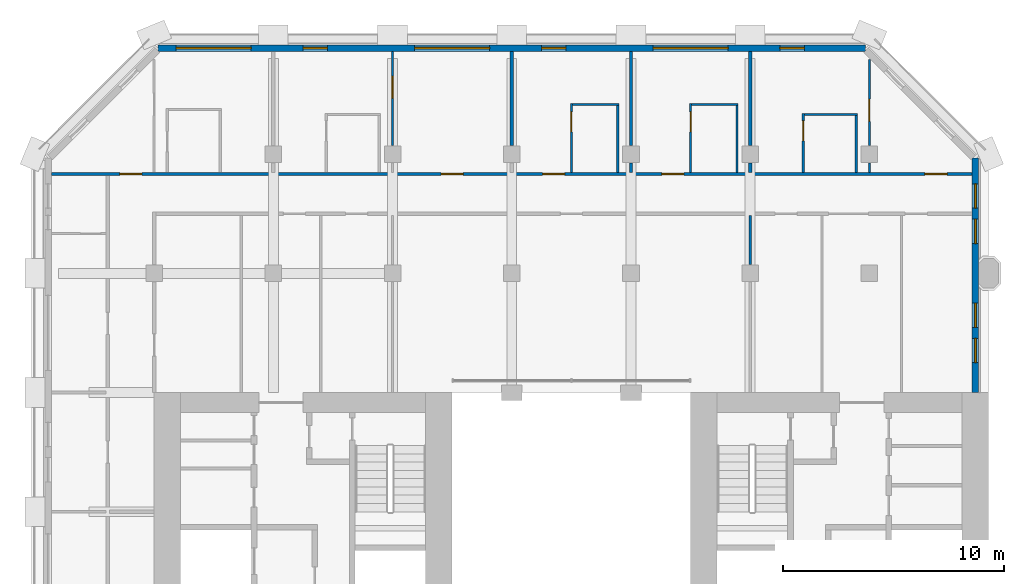
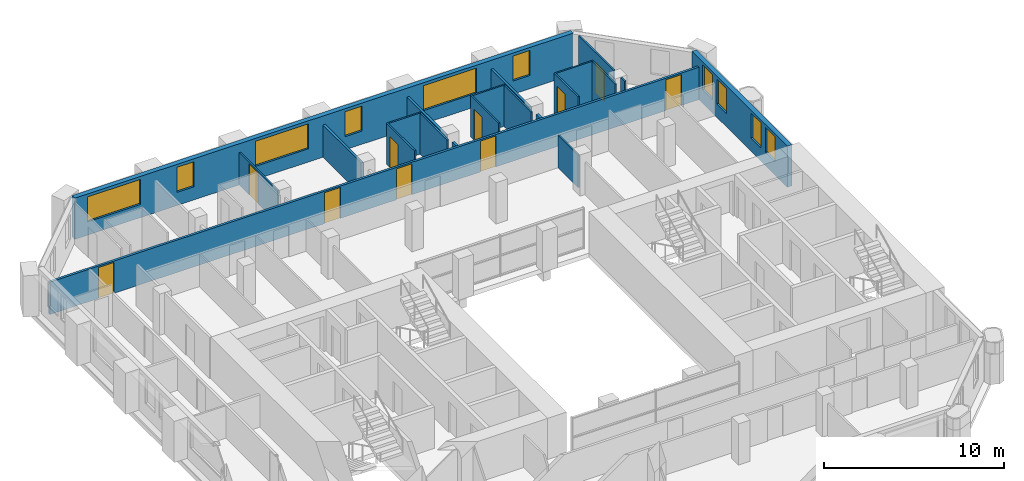
# One storey, part 10 of 14: 21 walls, 10 doors, 10 windows, 20 openings.
"""IFC4 building model written with IfcOpenShell, lengths in metres."""

import ifcopenshell
import ifcopenshell.guid

model = None  # the IFC model being written
_history = None  # IfcOwnerHistory: only IFC2X3 demands one
_inside = {}  # id of a spatial element -> (the spatial element, [elements in it])
_under = {}  # id of a project, library or spatial element -> (it, [spatial elements below it])
_declared = {}  # id of a project -> (the project, [libraries it declares])
_typed = {}  # id of a type object -> (the type object, [elements of that type])
_made_of = {}  # id of a material, layer set ... -> (it, [elements and type objects made of it])


def new_model(schema):
    """Start an empty IFC model of exactly this schema.

    Asked for "IFC4X3", IfcOpenShell would pick the latest addendum, in which some entities
    have other attributes; the version numbers below select the first issue.
    IFC2X3 requires an IfcOwnerHistory on every rooted entity: one is made here for all.
    """
    global model, _history
    if schema == "IFC4X3":
        model = ifcopenshell.file(schema_version=(4, 3, 0, 0))
    else:
        model = ifcopenshell.file(schema=schema)
    _inside.clear()
    _under.clear()
    _declared.clear()
    _typed.clear()
    _made_of.clear()
    _history = None
    if model.schema == "IFC2X3":
        org = make("IfcOrganization", Name="unknown")
        user = make(
            "IfcPersonAndOrganization",
            ThePerson=make("IfcPerson", FamilyName="unknown"),
            TheOrganization=org,
        )
        app = make(
            "IfcApplication",
            ApplicationDeveloper=org,
            Version="unknown",
            ApplicationFullName="unknown",
            ApplicationIdentifier="unknown",
        )
        _history = make(
            "IfcOwnerHistory",
            OwningUser=user,
            OwningApplication=app,
            ChangeAction="ADDED",
            CreationDate=0,
        )
    return model


def make(cls, **values):
    """One entity of the class cls with the attributes given. An attribute that is None is left unset."""
    return model.create_entity(
        cls, **{name: value for name, value in values.items() if value is not None}
    )


def rooted(cls, **values):
    """An entity with a GlobalId (a new one), such as an element, a storey or a relation."""
    return make(cls, GlobalId=ifcopenshell.guid.new(), OwnerHistory=_history, **values)


def si_unit(unit_type, name, prefix=None):
    """IfcSIUnit, for example si_unit("LENGTHUNIT", "METRE", prefix="MILLI")."""
    return make("IfcSIUnit", UnitType=unit_type, Prefix=prefix, Name=name)


def assignment(units):
    """IfcUnitAssignment: the units of a project."""
    return None if units is None else make("IfcUnitAssignment", Units=units)


def point(xyz):
    """IfcCartesianPoint."""
    return None if xyz is None else make("IfcCartesianPoint", Coordinates=xyz)


def direction(xyz):
    """IfcDirection."""
    return None if xyz is None else make("IfcDirection", DirectionRatios=xyz)


def frame(location, z_axis=None, x_axis=None):
    """IfcAxis2Placement3D, a coordinate frame: its origin and axes. An axis left out is left unset."""
    return make(
        "IfcAxis2Placement3D",
        Location=point(location),
        Axis=direction(z_axis),
        RefDirection=direction(x_axis),
    )


def frame_2d(location, x_axis=None):
    """IfcAxis2Placement2D, a coordinate frame in the plane: its origin and x axis."""
    return make(
        "IfcAxis2Placement2D", Location=point(location), RefDirection=direction(x_axis)
    )


def origin():
    """The frame at (0, 0, 0) with its axes left unset."""
    return frame((0.0, 0.0, 0.0))


def place(relative_to, where):
    """IfcLocalPlacement: puts the frame where relative to a parent placement (None: the world)."""
    return make(
        "IfcLocalPlacement", PlacementRelTo=relative_to, RelativePlacement=where
    )


def context(
    kind, dimensions, precision=None, world=None, true_north=None, identifier=None
):
    """IfcGeometricRepresentationContext, for example the 3D "Model" context."""
    return make(
        "IfcGeometricRepresentationContext",
        ContextIdentifier=identifier,
        ContextType=kind,
        CoordinateSpaceDimension=dimensions,
        Precision=precision,
        WorldCoordinateSystem=world,
        TrueNorth=true_north,
    )


def subcontext(parent, identifier, kind, view, scale=None):
    """IfcGeometricRepresentationSubContext, for example "Body" below "Model"."""
    return make(
        "IfcGeometricRepresentationSubContext",
        ContextIdentifier=identifier,
        ContextType=kind,
        ParentContext=parent,
        TargetScale=scale,
        TargetView=view,
    )


def project(units=None, contexts=None):
    """IfcProject with its units and contexts."""
    return rooted(
        "IfcProject",
        Name="project",
        RepresentationContexts=contexts,
        UnitsInContext=assignment(units),
    )


def spatial(cls, under=None, at=None, **own):
    """A site, building, storey or space (cls), placed at a placement, below another one or the project."""
    s = rooted(cls, ObjectPlacement=at, **own)
    if under is not None:
        _under.setdefault(under.id(), (under, []))[1].append(s)
    return s


def profile(cls, at=None, kind="AREA", **sizes):
    """A parametric profile (cls). Its sizes go by their IFC names, for example OverallWidth=200.0."""
    return make(cls, ProfileType=kind, Position=at, **sizes)


def rectangle(**sizes):
    """IfcRectangleProfileDef."""
    return profile("IfcRectangleProfileDef", **sizes)


def extrude(swept, where, along, depth):
    """IfcExtrudedAreaSolid: the profile swept, set in the frame where, extruded along a direction by depth."""
    return make(
        "IfcExtrudedAreaSolid",
        SweptArea=swept,
        Position=where,
        ExtrudedDirection=direction(along),
        Depth=depth,
    )


def shape(context_of_items, identifier, shape_type, items):
    """IfcShapeRepresentation: the items that make up one representation, for example the "Body"."""
    return make(
        "IfcShapeRepresentation",
        ContextOfItems=context_of_items,
        RepresentationIdentifier=identifier,
        RepresentationType=shape_type,
        Items=items,
    )


def material(Name=None, Category=None):
    """IfcMaterial."""
    return make("IfcMaterial", Name=Name, Category=Category)


def layer(
    of_material, thickness, ventilated=None, Name=None, Category=None, Priority=None
):
    """IfcMaterialLayer: one layer of a wall or slab, of a material (None: an air gap)."""
    return make(
        "IfcMaterialLayer",
        Material=of_material,
        LayerThickness=thickness,
        IsVentilated=ventilated,
        Name=Name,
        Category=Category,
        Priority=Priority,
    )


def layer_set(layers, Name=None):
    """IfcMaterialLayerSet."""
    return make("IfcMaterialLayerSet", MaterialLayers=layers, LayerSetName=Name)


def made_of(thing, what):
    """Note that an element or type object is made of a material, layer set ...; save() writes the relation."""
    if what is not None:
        _made_of.setdefault(what.id(), (what, []))[1].append(thing)
    return thing


def type_object(cls, material=None, **own):
    """A type object (cls), such as IfcWallType, which elements share."""
    return made_of(rooted(cls, **own), material)


def element(
    cls,
    number,
    at=None,
    inside=None,
    cuts=None,
    type_object=None,
    material=None,
    context=None,
    identifier="Body",
    shape_type=None,
    held_by="IfcProductDefinitionShape",
    body=None,
    shapes=None,
    **own,
):
    """One element of the class cls, such as IfcWall. Its Tag is "e" and its number.

    at: its placement. inside: the storey or other place that contains it. cuts: it is an
    opening in that element (IfcRelVoidsElement). A single representation is given by context,
    identifier, shape_type and body (its items); several are given by shapes. held_by: the class
    of the entity that holds the representations. save() writes the other relations.
    """
    e = rooted(cls, Tag="e%d" % number, ObjectPlacement=at, **own)
    if body is not None:
        shapes = [shape(context, identifier, shape_type, body)]
    if shapes is not None:
        e.Representation = make(held_by, Representations=shapes)
    if inside is not None:
        _inside.setdefault(inside.id(), (inside, []))[1].append(e)
    if cuts is not None:
        rooted(
            "IfcRelVoidsElement", RelatingBuildingElement=cuts, RelatedOpeningElement=e
        )
    if type_object is not None:
        _typed.setdefault(type_object.id(), (type_object, []))[1].append(e)
    return made_of(e, material)


def fill(opening, filler):
    """IfcRelFillsElement: the door or window that sits in an opening."""
    return rooted(
        "IfcRelFillsElement",
        RelatingOpeningElement=opening,
        RelatedBuildingElement=filler,
    )


def aggregate(whole, parts):
    """IfcRelAggregates: a whole, such as a stair, and the parts it consists of."""
    return rooted("IfcRelAggregates", RelatingObject=whole, RelatedObjects=parts)


def save(model, path):
    """Write the relations noted so far, then the file.

    IfcRelAggregates (storeys below a building ...), IfcRelContainedInSpatialStructure (elements
    in a storey), IfcRelDefinesByType, IfcRelAssociatesMaterial and IfcRelDeclares: one each for
    every whole, place, type object, material and project.
    """
    for whole, parts in _under.values():
        aggregate(whole, parts)
    for where, things in _inside.values():
        rooted(
            "IfcRelContainedInSpatialStructure",
            RelatedElements=things,
            RelatingStructure=where,
        )
    for kind, things in _typed.values():
        rooted("IfcRelDefinesByType", RelatedObjects=things, RelatingType=kind)
    for what, things in _made_of.values():
        rooted("IfcRelAssociatesMaterial", RelatedObjects=things, RelatingMaterial=what)
    for by, libraries in _declared.values():
        rooted("IfcRelDeclares", RelatingContext=by, RelatedDefinitions=libraries)
    model.write(path)


model = new_model("IFC4")

# Units and contexts
model_context = context("Model", 3, precision=1e-05, world=origin(), true_north=direction((0.0, 1.0)))
body_context = subcontext(model_context, "Body", "Model", "MODEL_VIEW")
ifc_project = project(units=[si_unit("LENGTHUNIT", "METRE"), si_unit("AREAUNIT", "SQUARE_METRE"), si_unit("VOLUMEUNIT", "CUBIC_METRE"), si_unit("PLANEANGLEUNIT", "RADIAN"), si_unit("MASSUNIT", "GRAM", prefix="KILO")], contexts=[model_context])

# Site, building, storey
site_placement = place(None, origin())
site = spatial("IfcSite", under=ifc_project, at=site_placement, CompositionType="ELEMENT")
building_placement = place(site_placement, origin())
building = spatial("IfcBuilding", under=site, at=building_placement, Name="Tabaq Tower and Sports Hall", CompositionType="ELEMENT")
storey_placement = place(building_placement, frame((0.0, 0.0, 230.199951171875)))
storey = spatial("IfcBuildingStorey", under=building, at=storey_placement, Name="L58", CompositionType="ELEMENT", Elevation=230.199951171875)

# Wall, opening, door
ifc_material_1 = material(Name="Gypsum board on steel studs", Category="steel")
ifc_layer_1 = layer(ifc_material_1, 0.10009765625)
ifc_layer_set_1 = layer_set([ifc_layer_1], Name="Partition 100 Gypsum board")
wall_type_1 = type_object("IfcWallType", Name="Partition 100 Gypsum board", PredefinedType="PARTITIONING", material=ifc_layer_set_1)
wall_1_placement = place(storey_placement, frame((34.800048828125, 42.375, 0.0), z_axis=(0.0, 0.0, 1.0), x_axis=(0.0, 1.0, 0.0)))
wall_1 = element("IfcWall", 1, at=wall_1_placement, inside=storey, type_object=wall_type_1, Name="Partition wall L58", PredefinedType="PARTITIONING", context=body_context, shape_type="SweptSolid", body=[
    extrude(rectangle(XDim=2.675048828125, YDim=0.10009765625, at=frame_2d((1.33740234375, 0.0))), origin(), (0.0, 0.0, 1.0), 2.800048828125),
])
opening_1_placement = place(wall_1_placement, frame((1.425048828125, 0.0, 0.0)))
opening_1 = element("IfcOpeningElement", 2, at=opening_1_placement, cuts=wall_1, Name="Opening L58-002", PredefinedType="OPENING", context=body_context, shape_type="SweptSolid", body=[
    extrude(rectangle(XDim=0.89990234375, YDim=2.10009765625, at=frame_2d((0.449951171875, 1.050048828125))), frame((0.0, 0.050048828125, 0.0), z_axis=(0.0, -1.0, 0.0), x_axis=(1.0, 0.0, 0.0)), (0.0, 0.0, 1.0), 0.10009765625),
])
ifc_material_2 = material(Name="Timber leaf in steel frame", Category="steel")
door_type_1 = type_object("IfcDoorType", Name="Internal door 900 left hand", OperationType="SINGLE_SWING_LEFT", PredefinedType="DOOR", material=ifc_material_2)
door_1_placement = place(opening_1_placement, origin())
door_1 = element("IfcDoor", 3, at=door_1_placement, inside=storey, type_object=door_type_1, Name="Internal door L58-002", OperationType="SINGLE_SWING_LEFT", OverallHeight=2.10009765625, OverallWidth=0.89990234375, PredefinedType="DOOR", context=body_context, shape_type="SweptSolid", body=[
    extrude(rectangle(XDim=0.89990234375, YDim=2.10009765625, at=frame_2d((0.449951171875, 1.050048828125))), frame((0.0, 0.02490234375, 0.0), z_axis=(0.0, -1.0, 0.0), x_axis=(1.0, 0.0, 0.0)), (0.0, 0.0, 1.0), 0.050048828125),
])
fill(opening_1, door_1)

# Walls
wall_2_placement = place(storey_placement, frame((34.85009765625, 45.0, 0.0), z_axis=(0.0, 0.0, 1.0), x_axis=(1.0, 0.0, 0.0)))
element("IfcWall", 4, at=wall_2_placement, inside=storey, type_object=wall_type_1, Name="Partition wall L58", PredefinedType="PARTITIONING", context=body_context, shape_type="SweptSolid", body=[
    extrude(rectangle(XDim=2.39990234375, YDim=0.10009765625, at=frame_2d((1.199951171875, 0.0))), origin(), (0.0, 0.0, 1.0), 2.800048828125),
])
wall_3_placement = place(storey_placement, frame((37.199951171875, 44.949951171875, 0.0), z_axis=(0.0, 0.0, 1.0), x_axis=(0.0, -1.0, 0.0)))
element("IfcWall", 5, at=wall_3_placement, inside=storey, type_object=wall_type_1, Name="Partition wall L58", PredefinedType="PARTITIONING", context=body_context, shape_type="SweptSolid", body=[
    extrude(rectangle(XDim=2.574951171875, YDim=0.10009765625, at=frame_2d((1.28759765625, 0.0))), origin(), (0.0, 0.0, 1.0), 2.800048828125),
])
wall_4_placement = place(storey_placement, frame((37.800048828125, 42.375, 0.0), z_axis=(0.0, 0.0, 1.0), x_axis=(0.0, 1.0, 0.0)))
element("IfcWall", 6, at=wall_4_placement, inside=storey, type_object=wall_type_1, Name="Partition wall L58", PredefinedType="PARTITIONING", context=body_context, shape_type="SweptSolid", body=[
    extrude(rectangle(XDim=0.429931640625, YDim=0.10009765625, at=frame_2d((0.21484375, 0.0))), origin(), (0.0, 0.0, 1.0), 2.800048828125),
])

# Wall, opening, door
wall_5_placement = place(storey_placement, frame((37.800048828125, 43.594970703125, 0.0), z_axis=(0.0, 0.0, 1.0), x_axis=(0.0, 1.0, 0.0)))
wall_5 = element("IfcWall", 7, at=wall_5_placement, inside=storey, type_object=wall_type_1, Name="Partition wall L58", PredefinedType="PARTITIONING", context=body_context, shape_type="SweptSolid", body=[
    extrude(rectangle(XDim=3.892822265625, YDim=0.10009765625, at=frame_2d((1.9462890625, 0.0))), origin(), (0.0, 0.0, 1.0), 2.800048828125),
])
opening_2_placement = place(wall_5_placement, frame((1.092529296875, 0.0, 0.0)))
opening_2 = element("IfcOpeningElement", 8, at=opening_2_placement, cuts=wall_5, Name="Opening L58-025", PredefinedType="OPENING", context=body_context, shape_type="SweptSolid", body=[
    extrude(rectangle(XDim=1.0, YDim=2.10009765625, at=frame_2d((0.5, 1.050048828125))), frame((0.0, 0.050048828125, 0.0), z_axis=(0.0, -1.0, 0.0), x_axis=(1.0, 0.0, 0.0)), (0.0, 0.0, 1.0), 0.10009765625),
])
ifc_material_3 = material(Name="Timber leaf in steel frame", Category="steel")
door_type_2 = type_object("IfcDoorType", Name="Internal door 1000 left hand", OperationType="SINGLE_SWING_LEFT", PredefinedType="DOOR", material=ifc_material_3)
door_2_placement = place(opening_2_placement, origin())
door_2 = element("IfcDoor", 9, at=door_2_placement, inside=storey, type_object=door_type_2, Name="Internal door L58-025", OperationType="SINGLE_SWING_LEFT", OverallHeight=2.10009765625, OverallWidth=1.0, PredefinedType="DOOR", context=body_context, shape_type="SweptSolid", body=[
    extrude(rectangle(XDim=1.0, YDim=2.10009765625, at=frame_2d((0.5, 1.050048828125))), frame((0.0, 0.02490234375, 0.0), z_axis=(0.0, -1.0, 0.0), x_axis=(1.0, 0.0, 0.0)), (0.0, 0.0, 1.0), 0.050048828125),
])
fill(opening_2, door_2)

wall_6_placement = place(storey_placement, frame((29.699951171875, 42.375, 0.0), z_axis=(0.0, 0.0, 1.0), x_axis=(0.0, 1.0, 0.0)))
wall_6 = element("IfcWall", 10, at=wall_6_placement, inside=storey, type_object=wall_type_1, Name="Partition wall L58", PredefinedType="PARTITIONING", context=body_context, shape_type="SweptSolid", body=[
    extrude(rectangle(XDim=3.125, YDim=0.10009765625, at=frame_2d((1.5625, 0.0))), origin(), (0.0, 0.0, 1.0), 2.800048828125),
])
opening_3_placement = place(wall_6_placement, frame((1.83740234375, 0.0, 0.0)))
opening_3 = element("IfcOpeningElement", 11, at=opening_3_placement, cuts=wall_6, Name="Opening L58-003", PredefinedType="OPENING", context=body_context, shape_type="SweptSolid", body=[
    extrude(rectangle(XDim=0.89990234375, YDim=2.10009765625, at=frame_2d((0.449951171875, 1.050048828125))), frame((0.0, 0.050048828125, 0.0), z_axis=(0.0, -1.0, 0.0), x_axis=(1.0, 0.0, 0.0)), (0.0, 0.0, 1.0), 0.10009765625),
])
door_3_placement = place(opening_3_placement, origin())
door_3 = element("IfcDoor", 12, at=door_3_placement, inside=storey, type_object=door_type_1, Name="Internal door L58-003", OperationType="SINGLE_SWING_LEFT", OverallHeight=2.10009765625, OverallWidth=0.89990234375, PredefinedType="DOOR", context=body_context, shape_type="SweptSolid", body=[
    extrude(rectangle(XDim=0.89990234375, YDim=2.10009765625, at=frame_2d((0.449951171875, 1.050048828125))), frame((0.0, 0.02490234375, 0.0), z_axis=(0.0, -1.0, 0.0), x_axis=(1.0, 0.0, 0.0)), (0.0, 0.0, 1.0), 0.050048828125),
])
fill(opening_3, door_3)

# Walls
wall_7_placement = place(storey_placement, frame((29.75, 45.449951171875, 0.0), z_axis=(0.0, 0.0, 1.0), x_axis=(1.0, 0.0, 0.0)))
element("IfcWall", 13, at=wall_7_placement, inside=storey, type_object=wall_type_1, Name="Partition wall L58", PredefinedType="PARTITIONING", context=body_context, shape_type="SweptSolid", body=[
    extrude(rectangle(XDim=2.10009765625, YDim=0.10009765625, at=frame_2d((1.050048828125, 0.0))), origin(), (0.0, 0.0, 1.0), 2.800048828125),
])
wall_8_placement = place(storey_placement, frame((31.800048828125, 45.39990234375, 0.0), z_axis=(0.0, 0.0, 1.0), x_axis=(0.0, -1.0, 0.0)))
element("IfcWall", 14, at=wall_8_placement, inside=storey, type_object=wall_type_1, Name="Partition wall L58", PredefinedType="PARTITIONING", context=body_context, shape_type="SweptSolid", body=[
    extrude(rectangle(XDim=3.02490234375, YDim=0.10009765625, at=frame_2d((1.512451171875, 0.0))), origin(), (0.0, 0.0, 1.0), 2.800048828125),
])

# Wall, opening, door
wall_9_placement = place(storey_placement, frame((24.300048828125, 42.375, 0.0), z_axis=(0.0, 0.0, 1.0), x_axis=(0.0, 1.0, 0.0)))
wall_9 = element("IfcWall", 15, at=wall_9_placement, inside=storey, type_object=wall_type_1, Name="Partition wall L58", PredefinedType="PARTITIONING", context=body_context, shape_type="SweptSolid", body=[
    extrude(rectangle(XDim=3.125, YDim=0.10009765625, at=frame_2d((1.5625, 0.0))), origin(), (0.0, 0.0, 1.0), 2.800048828125),
])
opening_4_placement = place(wall_9_placement, frame((1.83740234375, 0.0, 0.0)))
opening_4 = element("IfcOpeningElement", 16, at=opening_4_placement, cuts=wall_9, Name="Opening L58-004", PredefinedType="OPENING", context=body_context, shape_type="SweptSolid", body=[
    extrude(rectangle(XDim=0.89990234375, YDim=2.10009765625, at=frame_2d((0.449951171875, 1.050048828125))), frame((0.0, 0.050048828125, 0.0), z_axis=(0.0, -1.0, 0.0), x_axis=(1.0, 0.0, 0.0)), (0.0, 0.0, 1.0), 0.10009765625),
])
ifc_material_4 = material(Name="Timber leaf in steel frame", Category="steel")
door_type_3 = type_object("IfcDoorType", Name="Internal door 900 right hand", OperationType="SINGLE_SWING_RIGHT", PredefinedType="DOOR", material=ifc_material_4)
door_4_placement = place(opening_4_placement, origin())
door_4 = element("IfcDoor", 17, at=door_4_placement, inside=storey, type_object=door_type_3, Name="Internal door L58-004", OperationType="SINGLE_SWING_RIGHT", OverallHeight=2.10009765625, OverallWidth=0.89990234375, PredefinedType="DOOR", context=body_context, shape_type="SweptSolid", body=[
    extrude(rectangle(XDim=0.89990234375, YDim=2.10009765625, at=frame_2d((0.449951171875, 1.050048828125))), frame((0.0, 0.02490234375, 0.0), z_axis=(0.0, -1.0, 0.0), x_axis=(1.0, 0.0, 0.0)), (0.0, 0.0, 1.0), 0.050048828125),
])
fill(opening_4, door_4)

# Walls
wall_10_placement = place(storey_placement, frame((24.35009765625, 45.449951171875, 0.0), z_axis=(0.0, 0.0, 1.0), x_axis=(1.0, 0.0, 0.0)))
element("IfcWall", 18, at=wall_10_placement, inside=storey, type_object=wall_type_1, Name="Partition wall L58", PredefinedType="PARTITIONING", context=body_context, shape_type="SweptSolid", body=[
    extrude(rectangle(XDim=2.099853515625, YDim=0.10009765625, at=frame_2d((1.0498046875, 0.0))), origin(), (0.0, 0.0, 1.0), 2.800048828125),
])
wall_11_placement = place(storey_placement, frame((26.39990234375, 45.39990234375, 0.0), z_axis=(0.0, 0.0, 1.0), x_axis=(0.0, -1.0, 0.0)))
element("IfcWall", 19, at=wall_11_placement, inside=storey, type_object=wall_type_1, Name="Partition wall L58", PredefinedType="PARTITIONING", context=body_context, shape_type="SweptSolid", body=[
    extrude(rectangle(XDim=3.02490234375, YDim=0.10009765625, at=frame_2d((1.512451171875, 0.0))), origin(), (0.0, 0.0, 1.0), 2.800048828125),
])

# Wall, opening, door
wall_12_placement = place(storey_placement, frame((16.199951171875, 43.594970703125, 0.0), z_axis=(0.0, 0.0, 1.0), x_axis=(0.0, 1.0, 0.0)))
wall_12 = element("IfcWall", 20, at=wall_12_placement, inside=storey, type_object=wall_type_1, Name="Partition wall L58", PredefinedType="PARTITIONING", context=body_context, shape_type="SweptSolid", body=[
    extrude(rectangle(XDim=4.254150390625, YDim=0.10009765625, at=frame_2d((2.126953125, 0.0))), origin(), (0.0, 0.0, 1.0), 2.199951171875),
])
opening_5_placement = place(wall_12_placement, frame((2.137939453125, 0.0, 0.0)))
opening_5 = element("IfcOpeningElement", 21, at=opening_5_placement, cuts=wall_12, Name="Opening L58-029", PredefinedType="OPENING", context=body_context, shape_type="SweptSolid", body=[
    extrude(rectangle(XDim=1.0, YDim=2.10009765625, at=frame_2d((0.5, 1.050048828125))), frame((0.0, 0.050048828125, 0.0), z_axis=(0.0, -1.0, 0.0), x_axis=(1.0, 0.0, 0.0)), (0.0, 0.0, 1.0), 0.10009765625),
])
ifc_material_5 = material(Name="Timber leaf in steel frame", Category="steel")
door_type_4 = type_object("IfcDoorType", Name="Internal door 1000 right hand", OperationType="SINGLE_SWING_RIGHT", PredefinedType="DOOR", material=ifc_material_5)
door_5_placement = place(opening_5_placement, origin())
door_5 = element("IfcDoor", 22, at=door_5_placement, inside=storey, type_object=door_type_4, Name="Internal door L58-029", OperationType="SINGLE_SWING_RIGHT", OverallHeight=2.10009765625, OverallWidth=1.0, PredefinedType="DOOR", context=body_context, shape_type="SweptSolid", body=[
    extrude(rectangle(XDim=1.0, YDim=2.10009765625, at=frame_2d((0.5, 1.050048828125))), frame((0.0, 0.02490234375, 0.0), z_axis=(0.0, -1.0, 0.0), x_axis=(1.0, 0.0, 0.0)), (0.0, 0.0, 1.0), 0.050048828125),
])
fill(opening_5, door_5)

# Walls
wall_13_placement = place(storey_placement, frame((32.39990234375, 38.195068359375, 0.0), z_axis=(0.0, 0.0, 1.0), x_axis=(0.0, 1.0, 0.0)))
element("IfcWall", 23, at=wall_13_placement, inside=storey, type_object=wall_type_1, Name="Partition wall L58", PredefinedType="PARTITIONING", context=body_context, shape_type="SweptSolid", body=[
    extrude(rectangle(XDim=2.22998046875, YDim=0.10009765625, at=frame_2d((1.114990234375, 0.0))), origin(), (0.0, 0.0, 1.0), 2.199951171875),
])
ifc_material_6 = material(Name="Blockwork", Category="masonry")
ifc_layer_2 = layer(ifc_material_6, 0.14990234375)
ifc_layer_set_2 = layer_set([ifc_layer_2], Name="Separating wall 150 Blockwork")
wall_type_2 = type_object("IfcWallType", Name="Separating wall 150 Blockwork", PredefinedType="PARTITIONING", material=ifc_layer_set_2)
wall_14_placement = place(storey_placement, frame((32.39990234375, 47.84912109375, 0.0), z_axis=(0.0, 0.0, 1.0), x_axis=(0.0, -1.0, 0.0)))
element("IfcWall", 24, at=wall_14_placement, inside=storey, type_object=wall_type_2, Name="Separating wall L58", PredefinedType="PARTITIONING", context=body_context, shape_type="SweptSolid", body=[
    extrude(rectangle(XDim=4.254150390625, YDim=0.14990234375, at=frame_2d((2.126953125, 0.0))), origin(), (0.0, 0.0, 1.0), 2.199951171875),
])
wall_15_placement = place(storey_placement, frame((32.39990234375, 42.804931640625, 0.0), z_axis=(0.0, 0.0, 1.0), x_axis=(0.0, -1.0, 0.0)))
element("IfcWall", 25, at=wall_15_placement, inside=storey, type_object=wall_type_2, Name="Separating wall L58", PredefinedType="PARTITIONING", context=body_context, shape_type="SweptSolid", body=[
    extrude(rectangle(XDim=0.429931640625, YDim=0.14990234375, at=frame_2d((0.21484375, 0.0))), origin(), (0.0, 0.0, 1.0), 2.199951171875),
])
wall_16_placement = place(storey_placement, frame((27.0, 47.84912109375, 0.0), z_axis=(0.0, 0.0, 1.0), x_axis=(0.0, -1.0, 0.0)))
element("IfcWall", 26, at=wall_16_placement, inside=storey, type_object=wall_type_2, Name="Separating wall L58", PredefinedType="PARTITIONING", context=body_context, shape_type="SweptSolid", body=[
    extrude(rectangle(XDim=4.254150390625, YDim=0.14990234375, at=frame_2d((2.126953125, 0.0))), origin(), (0.0, 0.0, 1.0), 2.199951171875),
])
wall_17_placement = place(storey_placement, frame((27.0, 42.804931640625, 0.0), z_axis=(0.0, 0.0, 1.0), x_axis=(0.0, -1.0, 0.0)))
element("IfcWall", 27, at=wall_17_placement, inside=storey, type_object=wall_type_2, Name="Separating wall L58", PredefinedType="PARTITIONING", context=body_context, shape_type="SweptSolid", body=[
    extrude(rectangle(XDim=0.429931640625, YDim=0.14990234375, at=frame_2d((0.21484375, 0.0))), origin(), (0.0, 0.0, 1.0), 2.199951171875),
])
wall_18_placement = place(storey_placement, frame((21.60009765625, 47.84912109375, 0.0), z_axis=(0.0, 0.0, 1.0), x_axis=(0.0, -1.0, 0.0)))
element("IfcWall", 28, at=wall_18_placement, inside=storey, type_object=wall_type_2, Name="Separating wall L58", PredefinedType="PARTITIONING", context=body_context, shape_type="SweptSolid", body=[
    extrude(rectangle(XDim=4.254150390625, YDim=0.14990234375, at=frame_2d((2.126953125, 0.0))), origin(), (0.0, 0.0, 1.0), 2.199951171875),
])

# Wall, openings, doors
wall_19_placement = place(storey_placement, frame((42.448974609375, 42.300048828125, 0.0), z_axis=(0.0, 0.0, 1.0), x_axis=(-1.0, 0.0, 0.0)))
wall_19 = element("IfcWall", 29, at=wall_19_placement, inside=storey, type_object=wall_type_2, Name="Separating wall L58", PredefinedType="PARTITIONING", context=body_context, shape_type="SweptSolid", body=[
    extrude(rectangle(XDim=41.697998046875, YDim=0.14990234375, at=frame_2d((20.84912109375, 0.0))), origin(), (0.0, 0.0, 1.0), 2.199951171875),
])
opening_6_placement = place(wall_19_placement, frame((1.132080078125, 0.0, 0.0)))
opening_6 = element("IfcOpeningElement", 30, at=opening_6_placement, cuts=wall_19, Name="Opening L58-026", PredefinedType="OPENING", context=body_context, shape_type="SweptSolid", body=[
    extrude(rectangle(XDim=1.0, YDim=2.10009765625, at=frame_2d((0.5, 1.050048828125))), frame((0.0, 0.074951171875, 0.0), z_axis=(0.0, -1.0, 0.0), x_axis=(1.0, 0.0, 0.0)), (0.0, 0.0, 1.0), 0.14990234375),
])
opening_7_placement = place(wall_19_placement, frame((13.049072265625, 0.0, 0.0)))
opening_7 = element("IfcOpeningElement", 31, at=opening_7_placement, cuts=wall_19, Name="Opening L58-027", PredefinedType="OPENING", context=body_context, shape_type="SweptSolid", body=[
    extrude(rectangle(XDim=1.0, YDim=2.10009765625, at=frame_2d((0.5, 1.050048828125))), frame((0.0, 0.074951171875, 0.0), z_axis=(0.0, -1.0, 0.0), x_axis=(1.0, 0.0, 0.0)), (0.0, 0.0, 1.0), 0.14990234375),
])
opening_8_placement = place(wall_19_placement, frame((18.448974609375, 0.0, 0.0)))
opening_8 = element("IfcOpeningElement", 32, at=opening_8_placement, cuts=wall_19, Name="Opening L58-028", PredefinedType="OPENING", context=body_context, shape_type="SweptSolid", body=[
    extrude(rectangle(XDim=1.0, YDim=2.10009765625, at=frame_2d((0.5, 1.050048828125))), frame((0.0, 0.074951171875, 0.0), z_axis=(0.0, -1.0, 0.0), x_axis=(1.0, 0.0, 0.0)), (0.0, 0.0, 1.0), 0.14990234375),
])
opening_9_placement = place(wall_19_placement, frame((23.049072265625, 0.0, 0.0)))
opening_9 = element("IfcOpeningElement", 33, at=opening_9_placement, cuts=wall_19, Name="Opening L58-030", PredefinedType="OPENING", context=body_context, shape_type="SweptSolid", body=[
    extrude(rectangle(XDim=1.0, YDim=2.10009765625, at=frame_2d((0.5, 1.050048828125))), frame((0.0, 0.074951171875, 0.0), z_axis=(0.0, -1.0, 0.0), x_axis=(1.0, 0.0, 0.0)), (0.0, 0.0, 1.0), 0.14990234375),
])
opening_10_placement = place(wall_19_placement, frame((37.59912109375, 0.0, 0.0)))
opening_10 = element("IfcOpeningElement", 34, at=opening_10_placement, cuts=wall_19, Name="Opening L58-032", PredefinedType="OPENING", context=body_context, shape_type="SweptSolid", body=[
    extrude(rectangle(XDim=1.0, YDim=2.10009765625, at=frame_2d((0.5, 1.050048828125))), frame((0.0, 0.074951171875, 0.0), z_axis=(0.0, -1.0, 0.0), x_axis=(1.0, 0.0, 0.0)), (0.0, 0.0, 1.0), 0.14990234375),
])
ifc_material_7 = material(Name="Steel fire door", Category="steel")
door_type_5 = type_object("IfcDoorType", Name="Entrance door 1000 right hand", OperationType="SINGLE_SWING_RIGHT", PredefinedType="DOOR", material=ifc_material_7)
door_6_placement = place(opening_6_placement, origin())
door_6 = element("IfcDoor", 35, at=door_6_placement, inside=storey, type_object=door_type_5, Name="Entrance door L58-026", OperationType="SINGLE_SWING_RIGHT", OverallHeight=2.10009765625, OverallWidth=1.0, PredefinedType="DOOR", context=body_context, shape_type="SweptSolid", body=[
    extrude(rectangle(XDim=1.0, YDim=2.10009765625, at=frame_2d((0.5, 1.050048828125))), frame((0.0, 0.02490234375, 0.0), z_axis=(0.0, -1.0, 0.0), x_axis=(1.0, 0.0, 0.0)), (0.0, 0.0, 1.0), 0.050048828125),
])
fill(opening_6, door_6)
door_7_placement = place(opening_7_placement, origin())
door_7 = element("IfcDoor", 36, at=door_7_placement, inside=storey, type_object=door_type_5, Name="Entrance door L58-027", OperationType="SINGLE_SWING_RIGHT", OverallHeight=2.10009765625, OverallWidth=1.0, PredefinedType="DOOR", context=body_context, shape_type="SweptSolid", body=[
    extrude(rectangle(XDim=1.0, YDim=2.10009765625, at=frame_2d((0.5, 1.050048828125))), frame((0.0, 0.02490234375, 0.0), z_axis=(0.0, -1.0, 0.0), x_axis=(1.0, 0.0, 0.0)), (0.0, 0.0, 1.0), 0.050048828125),
])
fill(opening_7, door_7)
door_8_placement = place(opening_8_placement, origin())
door_8 = element("IfcDoor", 37, at=door_8_placement, inside=storey, type_object=door_type_5, Name="Entrance door L58-028", OperationType="SINGLE_SWING_RIGHT", OverallHeight=2.10009765625, OverallWidth=1.0, PredefinedType="DOOR", context=body_context, shape_type="SweptSolid", body=[
    extrude(rectangle(XDim=1.0, YDim=2.10009765625, at=frame_2d((0.5, 1.050048828125))), frame((0.0, 0.02490234375, 0.0), z_axis=(0.0, -1.0, 0.0), x_axis=(1.0, 0.0, 0.0)), (0.0, 0.0, 1.0), 0.050048828125),
])
fill(opening_8, door_8)
door_9_placement = place(opening_9_placement, origin())
door_9 = element("IfcDoor", 38, at=door_9_placement, inside=storey, type_object=door_type_5, Name="Entrance door L58-030", OperationType="SINGLE_SWING_RIGHT", OverallHeight=2.10009765625, OverallWidth=1.0, PredefinedType="DOOR", context=body_context, shape_type="SweptSolid", body=[
    extrude(rectangle(XDim=1.0, YDim=2.10009765625, at=frame_2d((0.5, 1.050048828125))), frame((0.0, 0.02490234375, 0.0), z_axis=(0.0, -1.0, 0.0), x_axis=(1.0, 0.0, 0.0)), (0.0, 0.0, 1.0), 0.050048828125),
])
fill(opening_9, door_9)
door_10_placement = place(opening_10_placement, origin())
door_10 = element("IfcDoor", 39, at=door_10_placement, inside=storey, type_object=door_type_5, Name="Entrance door L58-032", OperationType="SINGLE_SWING_RIGHT", OverallHeight=2.10009765625, OverallWidth=1.0, PredefinedType="DOOR", context=body_context, shape_type="SweptSolid", body=[
    extrude(rectangle(XDim=1.0, YDim=2.10009765625, at=frame_2d((0.5, 1.050048828125))), frame((0.0, 0.02490234375, 0.0), z_axis=(0.0, -1.0, 0.0), x_axis=(1.0, 0.0, 0.0)), (0.0, 0.0, 1.0), 0.050048828125),
])
fill(opening_10, door_10)

# Wall, openings, windows
ifc_material_8 = material(Name="White precast concrete C60/75", Category="concrete")
ifc_layer_3 = layer(ifc_material_8, 0.300048828125)
ifc_layer_set_3 = layer_set([ifc_layer_3], Name="White precast concrete C60/75 external wall 300")
wall_type_3 = type_object("IfcWallType", Name="White precast concrete C60/75 external wall 300", PredefinedType="SOLIDWALL", material=ifc_layer_set_3)
wall_20_placement = place(storey_placement, frame((42.60009765625, 32.39990234375, 0.0), z_axis=(0.0, 0.0, 1.0), x_axis=(0.0, 1.0, 0.0)))
wall_20 = element("IfcWall", 40, at=wall_20_placement, inside=storey, type_object=wall_type_3, Name="External Wall L58 E", PredefinedType="SOLIDWALL", context=body_context, shape_type="SweptSolid", body=[
    extrude(rectangle(XDim=10.61376953125, YDim=0.300048828125, at=frame_2d((5.306884765625, 0.0))), origin(), (0.0, 0.0, 1.0), 2.800048828125),
])
opening_11_placement = place(wall_20_placement, frame((1.35009765625, 0.0, 0.89990234375)))
opening_11 = element("IfcOpeningElement", 41, at=opening_11_placement, cuts=wall_20, Name="Opening W1B", PredefinedType="OPENING", context=body_context, shape_type="SweptSolid", body=[
    extrude(rectangle(XDim=1.10009765625, YDim=1.699951171875, at=frame_2d((0.550048828125, 0.85009765625))), frame((0.0, 0.16015625, 0.0), z_axis=(0.0, -1.0, 0.0), x_axis=(1.0, 0.0, 0.0)), (0.0, 0.0, 1.0), 0.320068359375),
])
opening_12_placement = place(wall_20_placement, frame((2.949951171875, 0.0, 0.89990234375)))
opening_12 = element("IfcOpeningElement", 42, at=opening_12_placement, cuts=wall_20, Name="Opening W1B", PredefinedType="OPENING", context=body_context, shape_type="SweptSolid", body=[
    extrude(rectangle(XDim=1.10009765625, YDim=1.699951171875, at=frame_2d((0.550048828125, 0.85009765625))), frame((0.0, 0.16015625, 0.0), z_axis=(0.0, -1.0, 0.0), x_axis=(1.0, 0.0, 0.0)), (0.0, 0.0, 1.0), 0.320068359375),
])
opening_13_placement = place(wall_20_placement, frame((6.75, 0.0, 0.89990234375)))
opening_13 = element("IfcOpeningElement", 43, at=opening_13_placement, cuts=wall_20, Name="Opening W1B", PredefinedType="OPENING", context=body_context, shape_type="SweptSolid", body=[
    extrude(rectangle(XDim=1.10009765625, YDim=1.699951171875, at=frame_2d((0.550048828125, 0.85009765625))), frame((0.0, 0.16015625, 0.0), z_axis=(0.0, -1.0, 0.0), x_axis=(1.0, 0.0, 0.0)), (0.0, 0.0, 1.0), 0.320068359375),
])
opening_14_placement = place(wall_20_placement, frame((8.35009765625, 0.0, 0.89990234375)))
opening_14 = element("IfcOpeningElement", 44, at=opening_14_placement, cuts=wall_20, Name="Opening W1B", PredefinedType="OPENING", context=body_context, shape_type="SweptSolid", body=[
    extrude(rectangle(XDim=1.10009765625, YDim=1.699951171875, at=frame_2d((0.550048828125, 0.85009765625))), frame((0.0, 0.16015625, 0.0), z_axis=(0.0, -1.0, 0.0), x_axis=(1.0, 0.0, 0.0)), (0.0, 0.0, 1.0), 0.320068359375),
])
ifc_material_9 = material(Name="Aluminium framed clear glazing", Category="aluminium")
window_type_1 = type_object("IfcWindowType", Name="Window W1B", PartitioningType="SINGLE_PANEL", PredefinedType="WINDOW", material=ifc_material_9)
window_1_placement = place(opening_11_placement, origin())
window_1 = element("IfcWindow", 45, at=window_1_placement, inside=storey, type_object=window_type_1, Name="Window W1B L58", OverallHeight=1.699951171875, OverallWidth=1.10009765625, PartitioningType="SINGLE_PANEL", PredefinedType="WINDOW", context=body_context, shape_type="SweptSolid", body=[
    extrude(rectangle(XDim=1.10009765625, YDim=1.699951171875, at=frame_2d((0.550048828125, 0.85009765625))), frame((0.0, 0.030029296875, 0.0), z_axis=(0.0, -1.0, 0.0), x_axis=(1.0, 0.0, 0.0)), (0.0, 0.0, 1.0), 0.06005859375),
])
fill(opening_11, window_1)
window_2_placement = place(opening_12_placement, origin())
window_2 = element("IfcWindow", 46, at=window_2_placement, inside=storey, type_object=window_type_1, Name="Window W1B L58", OverallHeight=1.699951171875, OverallWidth=1.10009765625, PartitioningType="SINGLE_PANEL", PredefinedType="WINDOW", context=body_context, shape_type="SweptSolid", body=[
    extrude(rectangle(XDim=1.10009765625, YDim=1.699951171875, at=frame_2d((0.550048828125, 0.85009765625))), frame((0.0, 0.030029296875, 0.0), z_axis=(0.0, -1.0, 0.0), x_axis=(1.0, 0.0, 0.0)), (0.0, 0.0, 1.0), 0.06005859375),
])
fill(opening_12, window_2)
window_3_placement = place(opening_13_placement, origin())
window_3 = element("IfcWindow", 47, at=window_3_placement, inside=storey, type_object=window_type_1, Name="Window W1B L58", OverallHeight=1.699951171875, OverallWidth=1.10009765625, PartitioningType="SINGLE_PANEL", PredefinedType="WINDOW", context=body_context, shape_type="SweptSolid", body=[
    extrude(rectangle(XDim=1.10009765625, YDim=1.699951171875, at=frame_2d((0.550048828125, 0.85009765625))), frame((0.0, 0.030029296875, 0.0), z_axis=(0.0, -1.0, 0.0), x_axis=(1.0, 0.0, 0.0)), (0.0, 0.0, 1.0), 0.06005859375),
])
fill(opening_13, window_3)
window_4_placement = place(opening_14_placement, origin())
window_4 = element("IfcWindow", 48, at=window_4_placement, inside=storey, type_object=window_type_1, Name="Window W1B L58", OverallHeight=1.699951171875, OverallWidth=1.10009765625, PartitioningType="SINGLE_PANEL", PredefinedType="WINDOW", context=body_context, shape_type="SweptSolid", body=[
    extrude(rectangle(XDim=1.10009765625, YDim=1.699951171875, at=frame_2d((0.550048828125, 0.85009765625))), frame((0.0, 0.030029296875, 0.0), z_axis=(0.0, -1.0, 0.0), x_axis=(1.0, 0.0, 0.0)), (0.0, 0.0, 1.0), 0.06005859375),
])
fill(opening_14, window_4)

wall_21_placement = place(storey_placement, frame((37.613525390625, 48.0, 0.0), z_axis=(0.0, 0.0, 1.0), x_axis=(-1.0, 0.0, 0.0)))
wall_21 = element("IfcWall", 49, at=wall_21_placement, inside=storey, type_object=wall_type_3, Name="External Wall L58 N", PredefinedType="SOLIDWALL", context=body_context, shape_type="SweptSolid", body=[
    extrude(rectangle(XDim=32.027099609375, YDim=0.300048828125, at=frame_2d((16.013671875, 0.0))), origin(), (0.0, 0.0, 1.0), 2.800048828125),
])
opening_15_placement = place(wall_21_placement, frame((2.763671875, 0.0, 0.89990234375)))
opening_15 = element("IfcOpeningElement", 50, at=opening_15_placement, cuts=wall_21, Name="Opening W1B", PredefinedType="OPENING", context=body_context, shape_type="SweptSolid", body=[
    extrude(rectangle(XDim=1.10009765625, YDim=1.699951171875, at=frame_2d((0.550048828125, 0.85009765625))), frame((0.0, 0.16015625, 0.0), z_axis=(0.0, -1.0, 0.0), x_axis=(1.0, 0.0, 0.0)), (0.0, 0.0, 1.0), 0.320068359375),
])
opening_16_placement = place(wall_21_placement, frame((6.213623046875, 0.0, 0.89990234375)))
opening_16 = element("IfcOpeningElement", 51, at=opening_16_placement, cuts=wall_21, Name="Opening W1A", PredefinedType="OPENING", context=body_context, shape_type="SweptSolid", body=[
    extrude(rectangle(XDim=3.39990234375, YDim=1.699951171875, at=frame_2d((1.699951171875, 0.85009765625))), frame((0.0, 0.16015625, 0.0), z_axis=(0.0, -1.0, 0.0), x_axis=(1.0, 0.0, 0.0)), (0.0, 0.0, 1.0), 0.320068359375),
])
opening_17_placement = place(wall_21_placement, frame((13.563720703125, 0.0, 0.89990234375)))
opening_17 = element("IfcOpeningElement", 52, at=opening_17_placement, cuts=wall_21, Name="Opening W1B", PredefinedType="OPENING", context=body_context, shape_type="SweptSolid", body=[
    extrude(rectangle(XDim=1.10009765625, YDim=1.699951171875, at=frame_2d((0.550048828125, 0.85009765625))), frame((0.0, 0.16015625, 0.0), z_axis=(0.0, -1.0, 0.0), x_axis=(1.0, 0.0, 0.0)), (0.0, 0.0, 1.0), 0.320068359375),
])
opening_18_placement = place(wall_21_placement, frame((17.013671875, 0.0, 0.89990234375)))
opening_18 = element("IfcOpeningElement", 53, at=opening_18_placement, cuts=wall_21, Name="Opening W1A", PredefinedType="OPENING", context=body_context, shape_type="SweptSolid", body=[
    extrude(rectangle(XDim=3.39990234375, YDim=1.699951171875, at=frame_2d((1.699951171875, 0.85009765625))), frame((0.0, 0.16015625, 0.0), z_axis=(0.0, -1.0, 0.0), x_axis=(1.0, 0.0, 0.0)), (0.0, 0.0, 1.0), 0.320068359375),
])
opening_19_placement = place(wall_21_placement, frame((24.363525390625, 0.0, 0.89990234375)))
opening_19 = element("IfcOpeningElement", 54, at=opening_19_placement, cuts=wall_21, Name="Opening W1B", PredefinedType="OPENING", context=body_context, shape_type="SweptSolid", body=[
    extrude(rectangle(XDim=1.10009765625, YDim=1.699951171875, at=frame_2d((0.550048828125, 0.85009765625))), frame((0.0, 0.16015625, 0.0), z_axis=(0.0, -1.0, 0.0), x_axis=(1.0, 0.0, 0.0)), (0.0, 0.0, 1.0), 0.320068359375),
])
opening_20_placement = place(wall_21_placement, frame((27.813720703125, 0.0, 0.89990234375)))
opening_20 = element("IfcOpeningElement", 55, at=opening_20_placement, cuts=wall_21, Name="Opening W1A", PredefinedType="OPENING", context=body_context, shape_type="SweptSolid", body=[
    extrude(rectangle(XDim=3.39990234375, YDim=1.699951171875, at=frame_2d((1.699951171875, 0.85009765625))), frame((0.0, 0.16015625, 0.0), z_axis=(0.0, -1.0, 0.0), x_axis=(1.0, 0.0, 0.0)), (0.0, 0.0, 1.0), 0.320068359375),
])
ifc_material_10 = material(Name="Aluminium framed clear glazing", Category="aluminium")
window_type_2 = type_object("IfcWindowType", Name="Window W1A", PartitioningType="SINGLE_PANEL", PredefinedType="WINDOW", material=ifc_material_10)
window_5_placement = place(opening_16_placement, origin())
window_5 = element("IfcWindow", 56, at=window_5_placement, inside=storey, type_object=window_type_2, Name="Window W1A L58", OverallHeight=1.699951171875, OverallWidth=3.39990234375, PartitioningType="SINGLE_PANEL", PredefinedType="WINDOW", context=body_context, shape_type="SweptSolid", body=[
    extrude(rectangle(XDim=3.39990234375, YDim=1.699951171875, at=frame_2d((1.699951171875, 0.85009765625))), frame((0.0, 0.030029296875, 0.0), z_axis=(0.0, -1.0, 0.0), x_axis=(1.0, 0.0, 0.0)), (0.0, 0.0, 1.0), 0.06005859375),
])
fill(opening_16, window_5)
window_6_placement = place(opening_18_placement, origin())
window_6 = element("IfcWindow", 57, at=window_6_placement, inside=storey, type_object=window_type_2, Name="Window W1A L58", OverallHeight=1.699951171875, OverallWidth=3.39990234375, PartitioningType="SINGLE_PANEL", PredefinedType="WINDOW", context=body_context, shape_type="SweptSolid", body=[
    extrude(rectangle(XDim=3.39990234375, YDim=1.699951171875, at=frame_2d((1.699951171875, 0.85009765625))), frame((0.0, 0.030029296875, 0.0), z_axis=(0.0, -1.0, 0.0), x_axis=(1.0, 0.0, 0.0)), (0.0, 0.0, 1.0), 0.06005859375),
])
fill(opening_18, window_6)
window_7_placement = place(opening_20_placement, origin())
window_7 = element("IfcWindow", 58, at=window_7_placement, inside=storey, type_object=window_type_2, Name="Window W1A L58", OverallHeight=1.699951171875, OverallWidth=3.39990234375, PartitioningType="SINGLE_PANEL", PredefinedType="WINDOW", context=body_context, shape_type="SweptSolid", body=[
    extrude(rectangle(XDim=3.39990234375, YDim=1.699951171875, at=frame_2d((1.699951171875, 0.85009765625))), frame((0.0, 0.030029296875, 0.0), z_axis=(0.0, -1.0, 0.0), x_axis=(1.0, 0.0, 0.0)), (0.0, 0.0, 1.0), 0.06005859375),
])
fill(opening_20, window_7)
window_8_placement = place(opening_15_placement, origin())
window_8 = element("IfcWindow", 59, at=window_8_placement, inside=storey, type_object=window_type_1, Name="Window W1B L58", OverallHeight=1.699951171875, OverallWidth=1.10009765625, PartitioningType="SINGLE_PANEL", PredefinedType="WINDOW", context=body_context, shape_type="SweptSolid", body=[
    extrude(rectangle(XDim=1.10009765625, YDim=1.699951171875, at=frame_2d((0.550048828125, 0.85009765625))), frame((0.0, 0.030029296875, 0.0), z_axis=(0.0, -1.0, 0.0), x_axis=(1.0, 0.0, 0.0)), (0.0, 0.0, 1.0), 0.06005859375),
])
fill(opening_15, window_8)
window_9_placement = place(opening_17_placement, origin())
window_9 = element("IfcWindow", 60, at=window_9_placement, inside=storey, type_object=window_type_1, Name="Window W1B L58", OverallHeight=1.699951171875, OverallWidth=1.10009765625, PartitioningType="SINGLE_PANEL", PredefinedType="WINDOW", context=body_context, shape_type="SweptSolid", body=[
    extrude(rectangle(XDim=1.10009765625, YDim=1.699951171875, at=frame_2d((0.550048828125, 0.85009765625))), frame((0.0, 0.030029296875, 0.0), z_axis=(0.0, -1.0, 0.0), x_axis=(1.0, 0.0, 0.0)), (0.0, 0.0, 1.0), 0.06005859375),
])
fill(opening_17, window_9)
window_10_placement = place(opening_19_placement, origin())
window_10 = element("IfcWindow", 61, at=window_10_placement, inside=storey, type_object=window_type_1, Name="Window W1B L58", OverallHeight=1.699951171875, OverallWidth=1.10009765625, PartitioningType="SINGLE_PANEL", PredefinedType="WINDOW", context=body_context, shape_type="SweptSolid", body=[
    extrude(rectangle(XDim=1.10009765625, YDim=1.699951171875, at=frame_2d((0.550048828125, 0.85009765625))), frame((0.0, 0.030029296875, 0.0), z_axis=(0.0, -1.0, 0.0), x_axis=(1.0, 0.0, 0.0)), (0.0, 0.0, 1.0), 0.06005859375),
])
fill(opening_19, window_10)

save(model, "model.ifc")
